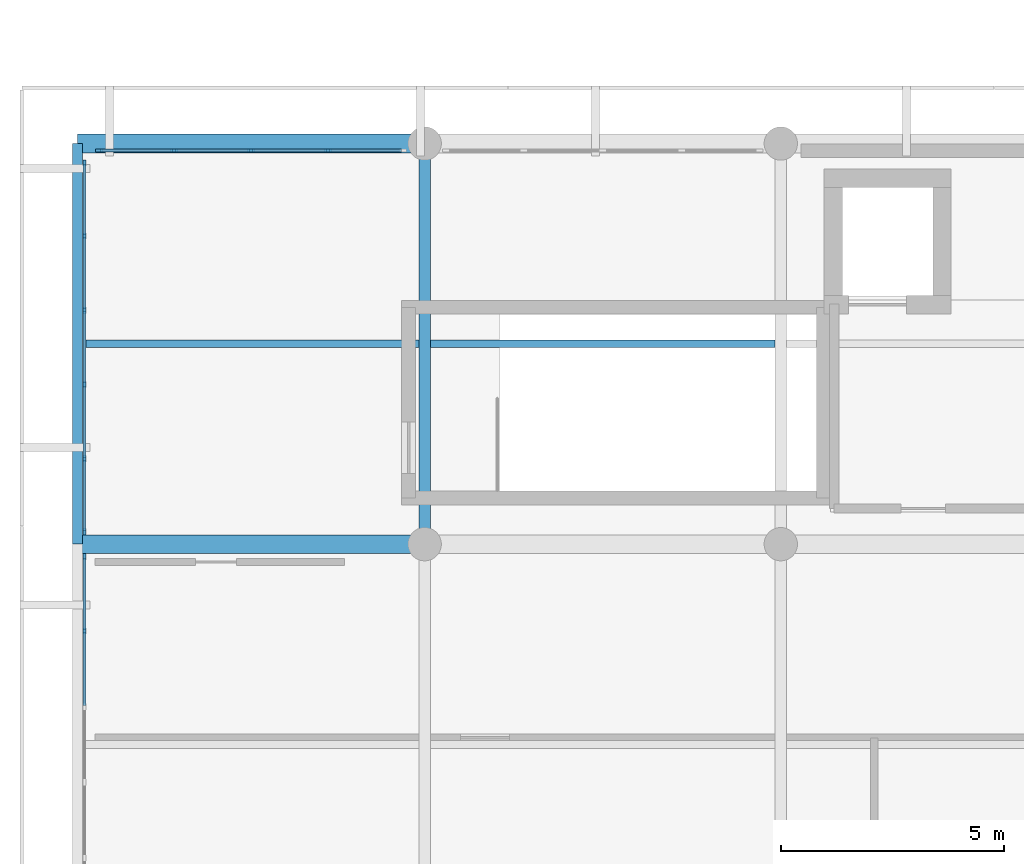
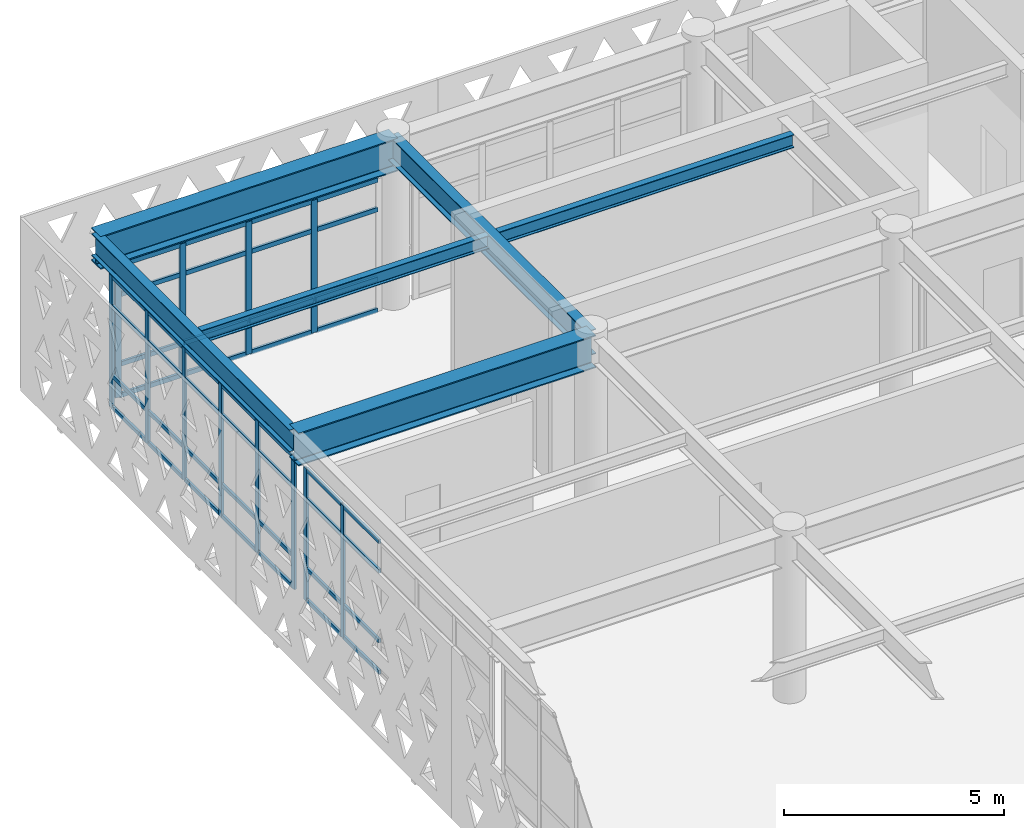
# One storey, part 5 of 26: 56 members, 6 beams, 3 elements without a shape of their own.
"""IFC4 building model written with IfcOpenShell, lengths in metres."""

from ifc_helpers import new_model, si_unit, direction, frame, origin, origin_2d, place, context, subcontext, project, spatial, rectangle, i_section, extrude, material, layer, layer_set, material_profile, profile_set, type_object, element, aggregate, save


model = new_model("IFC4")

# Units and contexts
model_context = context("Model", 3, precision=1e-05, world=origin(), true_north=direction((0.0, 1.0)))
body_context = subcontext(model_context, "Body", "Model", "MODEL_VIEW")
ifc_project = project(units=[si_unit("LENGTHUNIT", "METRE"), si_unit("AREAUNIT", "SQUARE_METRE"), si_unit("VOLUMEUNIT", "CUBIC_METRE"), si_unit("PLANEANGLEUNIT", "RADIAN"), si_unit("MASSUNIT", "GRAM", prefix="KILO")], contexts=[model_context])

# Site, building, storey
site_placement = place(None, origin())
site = spatial("IfcSite", under=ifc_project, at=site_placement, CompositionType="ELEMENT")
building_placement = place(site_placement, origin())
building = spatial("IfcBuilding", under=site, at=building_placement, Name="Tlacozan Convention Centre", CompositionType="ELEMENT")
storey_placement = place(building_placement, frame((0.0, 0.0, 21.0)))
storey = spatial("IfcBuildingStorey", under=building, at=storey_placement, Name="L04", CompositionType="ELEMENT", Elevation=21.0)

# Beams
ifc_material_1 = material(Name="Steel ASTM A992 Grade 50", Category="steel")
ifc_material_profile_1 = material_profile(ifc_material_1, i_section(OverallWidth=0.41796875, OverallDepth=0.912109375, WebThickness=0.019287109375, FlangeThickness=0.031982421875, FilletRadius=0.02001953125, at=origin_2d()), Name="IR 914x342.0")
ifc_profile_set_1 = profile_set([ifc_material_profile_1], Name="Steel ASTM A992 Grade 50")
beam_type_1 = type_object("IfcBeamType", Name="Cantilever Girder IR 914x342", PredefinedType="BEAM", material=ifc_profile_set_1)
for number, where, z_axis, x_axis, name in (
    (1, (8.0, 18.0, 4.18408203125), (-1.0, 0.0, 0.0), (0.0, -1.0, 0.0), "L04 Cantilever Girder IR 914x342 694"),
    (2, (8.0, 27.0, 4.18408203125), (-1.0, 0.0, 0.0), (0.0, -1.0, 0.0), "L04 Cantilever Girder IR 914x342 696"),
):
    element("IfcBeam", number, at=place(storey_placement, frame(where, z_axis=z_axis, x_axis=x_axis)), inside=storey, type_object=beam_type_1, Name=name, PredefinedType="BEAM", context=body_context, shape_type="SweptSolid", body=[
        extrude(i_section(OverallWidth=0.41796875, OverallDepth=0.912109375, WebThickness=0.019287109375, FlangeThickness=0.031982421875, FilletRadius=0.02001953125, at=origin_2d()), origin(), (0.0, 0.0, 1.0), 7.800048828125),
    ])

# Curtain wall, members
ifc_material_2 = material(Name="Dark Bronze Anodised Aluminium", Category="aluminium")
ifc_layer_1 = layer(ifc_material_2, 0.159912109375)
ifc_layer_set_1 = layer_set([ifc_layer_1], Name="Dark Bronze Anodised Aluminium")
curtain_wall_type_1 = type_object("IfcCurtainWallType", Name="Unitised Congress Gable End CW06", PredefinedType="NOTDEFINED", material=ifc_layer_set_1)
curtain_wall_1_placement = place(storey_placement, origin())
curtain_wall_1 = element("IfcCurtainWall", 3, at=curtain_wall_1_placement, inside=storey, type_object=curtain_wall_type_1, Name="L04 CW-06 Run 139", PredefinedType="NOTDEFINED")
ifc_material_profile_2 = material_profile(ifc_material_2, rectangle(XDim=0.06005859375, YDim=0.139892578125, at=origin_2d()), Name="ALU 60x140")
ifc_profile_set_2 = profile_set([ifc_material_profile_2], Name="Dark Bronze Anodised Aluminium")
member_type_1 = type_object("IfcMemberType", Name="Curtain Wall Light Mullion 60x140", PredefinedType="MULLION", material=ifc_profile_set_2)
member_1_placement = place(storey_placement, frame((0.360107421875, 16.050048828125, 0.0), z_axis=(0.0, 0.0, 1.0), x_axis=(-1.0, 0.0, 0.0)))
member_1 = element("IfcMember", 4, at=member_1_placement, type_object=member_type_1, Name="CW-06 mullion 5", PredefinedType="MULLION", context=body_context, shape_type="SweptSolid", body=[
    extrude(rectangle(XDim=0.06005859375, YDim=0.139892578125, at=origin_2d()), origin(), (0.0, 0.0, 1.0), 3.679931640625),
])
member_2_placement = place(storey_placement, frame((0.360107421875, 17.719970703125, 0.0), z_axis=(0.0, 0.0, 1.0), x_axis=(-1.0, 0.0, 0.0)))
member_2 = element("IfcMember", 5, at=member_2_placement, type_object=member_type_1, Name="CW-06 mullion 6", PredefinedType="MULLION", context=body_context, shape_type="SweptSolid", body=[
    extrude(rectangle(XDim=0.06005859375, YDim=0.139892578125, at=origin_2d()), origin(), (0.0, 0.0, 1.0), 3.679931640625),
])

curtain_wall_2_placement = place(storey_placement, origin())
curtain_wall_2 = element("IfcCurtainWall", 6, at=curtain_wall_2_placement, inside=storey, type_object=curtain_wall_type_1, Name="L04 CW-06 Run 140", PredefinedType="NOTDEFINED")
member_3_placement = place(storey_placement, frame((0.360107421875, 18.280029296875, 0.0), z_axis=(0.0, 0.0, 1.0), x_axis=(-1.0, 0.0, 0.0)))
member_3 = element("IfcMember", 7, at=member_3_placement, type_object=member_type_1, Name="CW-06 mullion 1", PredefinedType="MULLION", context=body_context, shape_type="SweptSolid", body=[
    extrude(rectangle(XDim=0.06005859375, YDim=0.139892578125, at=origin_2d()), origin(), (0.0, 0.0, 1.0), 3.679931640625),
])
member_4_placement = place(storey_placement, frame((0.360107421875, 19.91796875, 0.0), z_axis=(0.0, 0.0, 1.0), x_axis=(-1.0, 0.0, 0.0)))
member_4 = element("IfcMember", 8, at=member_4_placement, type_object=member_type_1, Name="CW-06 mullion 2", PredefinedType="MULLION", context=body_context, shape_type="SweptSolid", body=[
    extrude(rectangle(XDim=0.06005859375, YDim=0.139892578125, at=origin_2d()), origin(), (0.0, 0.0, 1.0), 3.679931640625),
])
member_5_placement = place(storey_placement, frame((0.360107421875, 21.5859375, 0.0), z_axis=(0.0, 0.0, 1.0), x_axis=(-1.0, 0.0, 0.0)))
member_5 = element("IfcMember", 9, at=member_5_placement, type_object=member_type_1, Name="CW-06 mullion 3", PredefinedType="MULLION", context=body_context, shape_type="SweptSolid", body=[
    extrude(rectangle(XDim=0.06005859375, YDim=0.139892578125, at=origin_2d()), origin(), (0.0, 0.0, 1.0), 3.679931640625),
])
member_6_placement = place(storey_placement, frame((0.360107421875, 23.25390625, 0.0), z_axis=(0.0, 0.0, 1.0), x_axis=(-1.0, 0.0, 0.0)))
member_6 = element("IfcMember", 10, at=member_6_placement, type_object=member_type_1, Name="CW-06 mullion 4", PredefinedType="MULLION", context=body_context, shape_type="SweptSolid", body=[
    extrude(rectangle(XDim=0.06005859375, YDim=0.139892578125, at=origin_2d()), origin(), (0.0, 0.0, 1.0), 3.679931640625),
])
member_7_placement = place(storey_placement, frame((0.360107421875, 24.922119140625, 0.0), z_axis=(0.0, 0.0, 1.0), x_axis=(-1.0, 0.0, 0.0)))
member_7 = element("IfcMember", 11, at=member_7_placement, type_object=member_type_1, Name="CW-06 mullion 5", PredefinedType="MULLION", context=body_context, shape_type="SweptSolid", body=[
    extrude(rectangle(XDim=0.06005859375, YDim=0.139892578125, at=origin_2d()), origin(), (0.0, 0.0, 1.0), 3.679931640625),
])
member_8_placement = place(storey_placement, frame((0.360107421875, 26.56005859375, 0.0), z_axis=(0.0, 0.0, 1.0), x_axis=(-1.0, 0.0, 0.0)))
member_8 = element("IfcMember", 12, at=member_8_placement, type_object=member_type_1, Name="CW-06 mullion 6", PredefinedType="MULLION", context=body_context, shape_type="SweptSolid", body=[
    extrude(rectangle(XDim=0.06005859375, YDim=0.139892578125, at=origin_2d()), origin(), (0.0, 0.0, 1.0), 3.679931640625),
])

# Member
ifc_material_profile_3 = material_profile(ifc_material_2, rectangle(XDim=0.06005859375, YDim=0.110107421875, at=origin_2d()), Name="ALU 60x110")
ifc_profile_set_3 = profile_set([ifc_material_profile_3], Name="Dark Bronze Anodised Aluminium")
member_type_2 = type_object("IfcMemberType", Name="Curtain Wall Light Transom 60x110", PredefinedType="USERDEFINED", material=ifc_profile_set_3)
member_9_placement = place(storey_placement, frame((0.360107421875, 14.3798828125, 0.030029296875), z_axis=(0.0, 1.0, 0.0), x_axis=(-1.0, 0.0, 0.0)))
member_9 = element("IfcMember", 13, at=member_9_placement, type_object=member_type_2, Name="CW-06 transom 4.1", ObjectType="TRANSOM", PredefinedType="USERDEFINED", context=body_context, shape_type="SweptSolid", body=[
    extrude(rectangle(XDim=0.06005859375, YDim=0.110107421875, at=origin_2d()), origin(), (0.0, 0.0, 1.0), 1.64013671875),
])

member_10_placement = place(storey_placement, frame((0.360107421875, 14.3798828125, 0.89990234375), z_axis=(0.0, 1.0, 0.0), x_axis=(-1.0, 0.0, 0.0)))
member_10 = element("IfcMember", 14, at=member_10_placement, type_object=member_type_2, Name="CW-06 transom 4.2", ObjectType="TRANSOM", PredefinedType="USERDEFINED", context=body_context, shape_type="SweptSolid", body=[
    extrude(rectangle(XDim=0.06005859375, YDim=0.110107421875, at=origin_2d()), origin(), (0.0, 0.0, 1.0), 1.64013671875),
])

member_11_placement = place(storey_placement, frame((0.360107421875, 14.3798828125, 2.830078125), z_axis=(0.0, 1.0, 0.0), x_axis=(-1.0, 0.0, 0.0)))
member_11 = element("IfcMember", 15, at=member_11_placement, type_object=member_type_2, Name="CW-06 transom 4.3", ObjectType="TRANSOM", PredefinedType="USERDEFINED", context=body_context, shape_type="SweptSolid", body=[
    extrude(rectangle(XDim=0.06005859375, YDim=0.110107421875, at=origin_2d()), origin(), (0.0, 0.0, 1.0), 1.64013671875),
])

member_12_placement = place(storey_placement, frame((0.360107421875, 14.3798828125, 3.64990234375), z_axis=(0.0, 1.0, 0.0), x_axis=(-1.0, 0.0, 0.0)))
member_12 = element("IfcMember", 16, at=member_12_placement, type_object=member_type_2, Name="CW-06 transom 4.4", ObjectType="TRANSOM", PredefinedType="USERDEFINED", context=body_context, shape_type="SweptSolid", body=[
    extrude(rectangle(XDim=0.06005859375, YDim=0.110107421875, at=origin_2d()), origin(), (0.0, 0.0, 1.0), 1.64013671875),
])

member_13_placement = place(storey_placement, frame((0.360107421875, 16.080078125, 0.030029296875), z_axis=(0.0, 1.0, 0.0), x_axis=(-1.0, 0.0, 0.0)))
member_13 = element("IfcMember", 17, at=member_13_placement, type_object=member_type_2, Name="CW-06 transom 5.1", ObjectType="TRANSOM", PredefinedType="USERDEFINED", context=body_context, shape_type="SweptSolid", body=[
    extrude(rectangle(XDim=0.06005859375, YDim=0.110107421875, at=origin_2d()), origin(), (0.0, 0.0, 1.0), 1.60986328125),
])

member_14_placement = place(storey_placement, frame((0.360107421875, 16.080078125, 0.89990234375), z_axis=(0.0, 1.0, 0.0), x_axis=(-1.0, 0.0, 0.0)))
member_14 = element("IfcMember", 18, at=member_14_placement, type_object=member_type_2, Name="CW-06 transom 5.2", ObjectType="TRANSOM", PredefinedType="USERDEFINED", context=body_context, shape_type="SweptSolid", body=[
    extrude(rectangle(XDim=0.06005859375, YDim=0.110107421875, at=origin_2d()), origin(), (0.0, 0.0, 1.0), 1.60986328125),
])

member_15_placement = place(storey_placement, frame((0.360107421875, 16.080078125, 2.830078125), z_axis=(0.0, 1.0, 0.0), x_axis=(-1.0, 0.0, 0.0)))
member_15 = element("IfcMember", 19, at=member_15_placement, type_object=member_type_2, Name="CW-06 transom 5.3", ObjectType="TRANSOM", PredefinedType="USERDEFINED", context=body_context, shape_type="SweptSolid", body=[
    extrude(rectangle(XDim=0.06005859375, YDim=0.110107421875, at=origin_2d()), origin(), (0.0, 0.0, 1.0), 1.60986328125),
])

member_16_placement = place(storey_placement, frame((0.360107421875, 16.080078125, 3.64990234375), z_axis=(0.0, 1.0, 0.0), x_axis=(-1.0, 0.0, 0.0)))
member_16 = element("IfcMember", 20, at=member_16_placement, type_object=member_type_2, Name="CW-06 transom 5.4", ObjectType="TRANSOM", PredefinedType="USERDEFINED", context=body_context, shape_type="SweptSolid", body=[
    extrude(rectangle(XDim=0.06005859375, YDim=0.110107421875, at=origin_2d()), origin(), (0.0, 0.0, 1.0), 1.60986328125),
])

aggregate(curtain_wall_1, [member_1, member_2, member_9, member_10, member_11, member_12, member_13, member_14, member_15, member_16])

member_17_placement = place(storey_placement, frame((0.360107421875, 18.31005859375, 0.030029296875), z_axis=(0.0, 1.0, 0.0), x_axis=(-1.0, 0.0, 0.0)))
member_17 = element("IfcMember", 21, at=member_17_placement, type_object=member_type_2, Name="CW-06 transom 1.1", ObjectType="TRANSOM", PredefinedType="USERDEFINED", context=body_context, shape_type="SweptSolid", body=[
    extrude(rectangle(XDim=0.06005859375, YDim=0.110107421875, at=origin_2d()), origin(), (0.0, 0.0, 1.0), 1.577880859375),
])

member_18_placement = place(storey_placement, frame((0.360107421875, 18.31005859375, 0.89990234375), z_axis=(0.0, 1.0, 0.0), x_axis=(-1.0, 0.0, 0.0)))
member_18 = element("IfcMember", 22, at=member_18_placement, type_object=member_type_2, Name="CW-06 transom 1.2", ObjectType="TRANSOM", PredefinedType="USERDEFINED", context=body_context, shape_type="SweptSolid", body=[
    extrude(rectangle(XDim=0.06005859375, YDim=0.110107421875, at=origin_2d()), origin(), (0.0, 0.0, 1.0), 1.577880859375),
])

member_19_placement = place(storey_placement, frame((0.360107421875, 18.31005859375, 2.830078125), z_axis=(0.0, 1.0, 0.0), x_axis=(-1.0, 0.0, 0.0)))
member_19 = element("IfcMember", 23, at=member_19_placement, type_object=member_type_2, Name="CW-06 transom 1.3", ObjectType="TRANSOM", PredefinedType="USERDEFINED", context=body_context, shape_type="SweptSolid", body=[
    extrude(rectangle(XDim=0.06005859375, YDim=0.110107421875, at=origin_2d()), origin(), (0.0, 0.0, 1.0), 1.577880859375),
])

member_20_placement = place(storey_placement, frame((0.360107421875, 18.31005859375, 3.64990234375), z_axis=(0.0, 1.0, 0.0), x_axis=(-1.0, 0.0, 0.0)))
member_20 = element("IfcMember", 24, at=member_20_placement, type_object=member_type_2, Name="CW-06 transom 1.4", ObjectType="TRANSOM", PredefinedType="USERDEFINED", context=body_context, shape_type="SweptSolid", body=[
    extrude(rectangle(XDim=0.06005859375, YDim=0.110107421875, at=origin_2d()), origin(), (0.0, 0.0, 1.0), 1.577880859375),
])

member_21_placement = place(storey_placement, frame((0.360107421875, 19.947998046875, 0.030029296875), z_axis=(0.0, 1.0, 0.0), x_axis=(-1.0, 0.0, 0.0)))
member_21 = element("IfcMember", 25, at=member_21_placement, type_object=member_type_2, Name="CW-06 transom 2.1", ObjectType="TRANSOM", PredefinedType="USERDEFINED", context=body_context, shape_type="SweptSolid", body=[
    extrude(rectangle(XDim=0.06005859375, YDim=0.110107421875, at=origin_2d()), origin(), (0.0, 0.0, 1.0), 1.60791015625),
])

member_22_placement = place(storey_placement, frame((0.360107421875, 19.947998046875, 0.89990234375), z_axis=(0.0, 1.0, 0.0), x_axis=(-1.0, 0.0, 0.0)))
member_22 = element("IfcMember", 26, at=member_22_placement, type_object=member_type_2, Name="CW-06 transom 2.2", ObjectType="TRANSOM", PredefinedType="USERDEFINED", context=body_context, shape_type="SweptSolid", body=[
    extrude(rectangle(XDim=0.06005859375, YDim=0.110107421875, at=origin_2d()), origin(), (0.0, 0.0, 1.0), 1.60791015625),
])

member_23_placement = place(storey_placement, frame((0.360107421875, 19.947998046875, 2.830078125), z_axis=(0.0, 1.0, 0.0), x_axis=(-1.0, 0.0, 0.0)))
member_23 = element("IfcMember", 27, at=member_23_placement, type_object=member_type_2, Name="CW-06 transom 2.3", ObjectType="TRANSOM", PredefinedType="USERDEFINED", context=body_context, shape_type="SweptSolid", body=[
    extrude(rectangle(XDim=0.06005859375, YDim=0.110107421875, at=origin_2d()), origin(), (0.0, 0.0, 1.0), 1.60791015625),
])

member_24_placement = place(storey_placement, frame((0.360107421875, 19.947998046875, 3.64990234375), z_axis=(0.0, 1.0, 0.0), x_axis=(-1.0, 0.0, 0.0)))
member_24 = element("IfcMember", 28, at=member_24_placement, type_object=member_type_2, Name="CW-06 transom 2.4", ObjectType="TRANSOM", PredefinedType="USERDEFINED", context=body_context, shape_type="SweptSolid", body=[
    extrude(rectangle(XDim=0.06005859375, YDim=0.110107421875, at=origin_2d()), origin(), (0.0, 0.0, 1.0), 1.60791015625),
])

member_25_placement = place(storey_placement, frame((0.360107421875, 21.615966796875, 0.030029296875), z_axis=(0.0, 1.0, 0.0), x_axis=(-1.0, 0.0, 0.0)))
member_25 = element("IfcMember", 29, at=member_25_placement, type_object=member_type_2, Name="CW-06 transom 3.1", ObjectType="TRANSOM", PredefinedType="USERDEFINED", context=body_context, shape_type="SweptSolid", body=[
    extrude(rectangle(XDim=0.06005859375, YDim=0.110107421875, at=origin_2d()), origin(), (0.0, 0.0, 1.0), 1.608154296875),
])

member_26_placement = place(storey_placement, frame((0.360107421875, 21.615966796875, 0.89990234375), z_axis=(0.0, 1.0, 0.0), x_axis=(-1.0, 0.0, 0.0)))
member_26 = element("IfcMember", 30, at=member_26_placement, type_object=member_type_2, Name="CW-06 transom 3.2", ObjectType="TRANSOM", PredefinedType="USERDEFINED", context=body_context, shape_type="SweptSolid", body=[
    extrude(rectangle(XDim=0.06005859375, YDim=0.110107421875, at=origin_2d()), origin(), (0.0, 0.0, 1.0), 1.608154296875),
])

member_27_placement = place(storey_placement, frame((0.360107421875, 21.615966796875, 2.830078125), z_axis=(0.0, 1.0, 0.0), x_axis=(-1.0, 0.0, 0.0)))
member_27 = element("IfcMember", 31, at=member_27_placement, type_object=member_type_2, Name="CW-06 transom 3.3", ObjectType="TRANSOM", PredefinedType="USERDEFINED", context=body_context, shape_type="SweptSolid", body=[
    extrude(rectangle(XDim=0.06005859375, YDim=0.110107421875, at=origin_2d()), origin(), (0.0, 0.0, 1.0), 1.608154296875),
])

member_28_placement = place(storey_placement, frame((0.360107421875, 21.615966796875, 3.64990234375), z_axis=(0.0, 1.0, 0.0), x_axis=(-1.0, 0.0, 0.0)))
member_28 = element("IfcMember", 32, at=member_28_placement, type_object=member_type_2, Name="CW-06 transom 3.4", ObjectType="TRANSOM", PredefinedType="USERDEFINED", context=body_context, shape_type="SweptSolid", body=[
    extrude(rectangle(XDim=0.06005859375, YDim=0.110107421875, at=origin_2d()), origin(), (0.0, 0.0, 1.0), 1.608154296875),
])

member_29_placement = place(storey_placement, frame((0.360107421875, 23.283935546875, 0.030029296875), z_axis=(0.0, 1.0, 0.0), x_axis=(-1.0, 0.0, 0.0)))
member_29 = element("IfcMember", 33, at=member_29_placement, type_object=member_type_2, Name="CW-06 transom 4.1", ObjectType="TRANSOM", PredefinedType="USERDEFINED", context=body_context, shape_type="SweptSolid", body=[
    extrude(rectangle(XDim=0.06005859375, YDim=0.110107421875, at=origin_2d()), origin(), (0.0, 0.0, 1.0), 1.608154296875),
])

member_30_placement = place(storey_placement, frame((0.360107421875, 23.283935546875, 0.89990234375), z_axis=(0.0, 1.0, 0.0), x_axis=(-1.0, 0.0, 0.0)))
member_30 = element("IfcMember", 34, at=member_30_placement, type_object=member_type_2, Name="CW-06 transom 4.2", ObjectType="TRANSOM", PredefinedType="USERDEFINED", context=body_context, shape_type="SweptSolid", body=[
    extrude(rectangle(XDim=0.06005859375, YDim=0.110107421875, at=origin_2d()), origin(), (0.0, 0.0, 1.0), 1.608154296875),
])

member_31_placement = place(storey_placement, frame((0.360107421875, 23.283935546875, 2.830078125), z_axis=(0.0, 1.0, 0.0), x_axis=(-1.0, 0.0, 0.0)))
member_31 = element("IfcMember", 35, at=member_31_placement, type_object=member_type_2, Name="CW-06 transom 4.3", ObjectType="TRANSOM", PredefinedType="USERDEFINED", context=body_context, shape_type="SweptSolid", body=[
    extrude(rectangle(XDim=0.06005859375, YDim=0.110107421875, at=origin_2d()), origin(), (0.0, 0.0, 1.0), 1.608154296875),
])

member_32_placement = place(storey_placement, frame((0.360107421875, 23.283935546875, 3.64990234375), z_axis=(0.0, 1.0, 0.0), x_axis=(-1.0, 0.0, 0.0)))
member_32 = element("IfcMember", 36, at=member_32_placement, type_object=member_type_2, Name="CW-06 transom 4.4", ObjectType="TRANSOM", PredefinedType="USERDEFINED", context=body_context, shape_type="SweptSolid", body=[
    extrude(rectangle(XDim=0.06005859375, YDim=0.110107421875, at=origin_2d()), origin(), (0.0, 0.0, 1.0), 1.608154296875),
])

member_33_placement = place(storey_placement, frame((0.360107421875, 24.951904296875, 0.030029296875), z_axis=(0.0, 1.0, 0.0), x_axis=(-1.0, 0.0, 0.0)))
member_33 = element("IfcMember", 37, at=member_33_placement, type_object=member_type_2, Name="CW-06 transom 5.1", ObjectType="TRANSOM", PredefinedType="USERDEFINED", context=body_context, shape_type="SweptSolid", body=[
    extrude(rectangle(XDim=0.06005859375, YDim=0.110107421875, at=origin_2d()), origin(), (0.0, 0.0, 1.0), 1.578125),
])

member_34_placement = place(storey_placement, frame((0.360107421875, 24.951904296875, 0.89990234375), z_axis=(0.0, 1.0, 0.0), x_axis=(-1.0, 0.0, 0.0)))
member_34 = element("IfcMember", 38, at=member_34_placement, type_object=member_type_2, Name="CW-06 transom 5.2", ObjectType="TRANSOM", PredefinedType="USERDEFINED", context=body_context, shape_type="SweptSolid", body=[
    extrude(rectangle(XDim=0.06005859375, YDim=0.110107421875, at=origin_2d()), origin(), (0.0, 0.0, 1.0), 1.578125),
])

member_35_placement = place(storey_placement, frame((0.360107421875, 24.951904296875, 2.830078125), z_axis=(0.0, 1.0, 0.0), x_axis=(-1.0, 0.0, 0.0)))
member_35 = element("IfcMember", 39, at=member_35_placement, type_object=member_type_2, Name="CW-06 transom 5.3", ObjectType="TRANSOM", PredefinedType="USERDEFINED", context=body_context, shape_type="SweptSolid", body=[
    extrude(rectangle(XDim=0.06005859375, YDim=0.110107421875, at=origin_2d()), origin(), (0.0, 0.0, 1.0), 1.578125),
])

member_36_placement = place(storey_placement, frame((0.360107421875, 24.951904296875, 3.64990234375), z_axis=(0.0, 1.0, 0.0), x_axis=(-1.0, 0.0, 0.0)))
member_36 = element("IfcMember", 40, at=member_36_placement, type_object=member_type_2, Name="CW-06 transom 5.4", ObjectType="TRANSOM", PredefinedType="USERDEFINED", context=body_context, shape_type="SweptSolid", body=[
    extrude(rectangle(XDim=0.06005859375, YDim=0.110107421875, at=origin_2d()), origin(), (0.0, 0.0, 1.0), 1.578125),
])

aggregate(curtain_wall_2, [member_3, member_4, member_5, member_6, member_7, member_8, member_17, member_18, member_19, member_20, member_21, member_22, member_23, member_24, member_25, member_26, member_27, member_28, member_29, member_30, member_31, member_32, member_33, member_34, member_35, member_36])

# Curtain wall, members
ifc_layer_2 = layer(ifc_material_2, 0.159912109375)
ifc_layer_set_2 = layer_set([ifc_layer_2], Name="Dark Bronze Anodised Aluminium")
curtain_wall_type_2 = type_object("IfcCurtainWallType", Name="Unitised Congress L04 South CW05", PredefinedType="NOTDEFINED", material=ifc_layer_set_2)
curtain_wall_3_placement = place(storey_placement, origin())
curtain_wall_3 = element("IfcCurtainWall", 41, at=curtain_wall_3_placement, inside=storey, type_object=curtain_wall_type_2, Name="L04 CW-05 Run 134", PredefinedType="NOTDEFINED")
ifc_material_profile_4 = material_profile(ifc_material_2, rectangle(XDim=0.06494140625, YDim=0.159912109375, at=origin_2d()), Name="ALU 65x160")
ifc_profile_set_4 = profile_set([ifc_material_profile_4], Name="Dark Bronze Anodised Aluminium")
member_type_3 = type_object("IfcMemberType", Name="Curtain Wall Mullion 65x160", PredefinedType="MULLION", material=ifc_profile_set_4)
member_37_placement = place(storey_placement, frame((0.6826171875, 26.840087890625, 0.0), z_axis=(0.0, 0.0, 1.0), x_axis=(0.0, 1.0, 0.0)))
member_37 = element("IfcMember", 42, at=member_37_placement, type_object=member_type_3, Name="CW-05 mullion 1", PredefinedType="MULLION", context=body_context, shape_type="SweptSolid", body=[
    extrude(rectangle(XDim=0.06494140625, YDim=0.159912109375, at=origin_2d()), origin(), (0.0, 0.0, 1.0), 3.679931640625),
])
member_38_placement = place(storey_placement, frame((2.375, 26.840087890625, 0.0), z_axis=(0.0, 0.0, 1.0), x_axis=(0.0, 1.0, 0.0)))
member_38 = element("IfcMember", 43, at=member_38_placement, type_object=member_type_3, Name="CW-05 mullion 2", PredefinedType="MULLION", context=body_context, shape_type="SweptSolid", body=[
    extrude(rectangle(XDim=0.06494140625, YDim=0.159912109375, at=origin_2d()), origin(), (0.0, 0.0, 1.0), 3.679931640625),
])
member_39_placement = place(storey_placement, frame((4.10009765625, 26.840087890625, 0.0), z_axis=(0.0, 0.0, 1.0), x_axis=(0.0, 1.0, 0.0)))
member_39 = element("IfcMember", 44, at=member_39_placement, type_object=member_type_3, Name="CW-05 mullion 3", PredefinedType="MULLION", context=body_context, shape_type="SweptSolid", body=[
    extrude(rectangle(XDim=0.06494140625, YDim=0.159912109375, at=origin_2d()), origin(), (0.0, 0.0, 1.0), 3.679931640625),
])
member_40_placement = place(storey_placement, frame((5.824951171875, 26.840087890625, 0.0), z_axis=(0.0, 0.0, 1.0), x_axis=(0.0, 1.0, 0.0)))
member_40 = element("IfcMember", 45, at=member_40_placement, type_object=member_type_3, Name="CW-05 mullion 4", PredefinedType="MULLION", context=body_context, shape_type="SweptSolid", body=[
    extrude(rectangle(XDim=0.06494140625, YDim=0.159912109375, at=origin_2d()), origin(), (0.0, 0.0, 1.0), 3.679931640625),
])
ifc_material_profile_5 = material_profile(ifc_material_2, rectangle(XDim=0.06494140625, YDim=0.125, at=origin_2d()), Name="ALU 65x125")
ifc_profile_set_5 = profile_set([ifc_material_profile_5], Name="Dark Bronze Anodised Aluminium")
member_type_4 = type_object("IfcMemberType", Name="Curtain Wall Transom 65x125", PredefinedType="USERDEFINED", material=ifc_profile_set_5)
member_41_placement = place(storey_placement, frame((0.715087890625, 26.840087890625, 0.032470703125), z_axis=(1.0, 0.0, 0.0), x_axis=(0.0, 1.0, 0.0)))
member_41 = element("IfcMember", 46, at=member_41_placement, type_object=member_type_4, Name="CW-05 transom 1.1", ObjectType="TRANSOM", PredefinedType="USERDEFINED", context=body_context, shape_type="SweptSolid", body=[
    extrude(rectangle(XDim=0.06494140625, YDim=0.125, at=origin_2d()), origin(), (0.0, 0.0, 1.0), 1.62744140625),
])
member_42_placement = place(storey_placement, frame((0.715087890625, 26.840087890625, 0.89990234375), z_axis=(1.0, 0.0, 0.0), x_axis=(0.0, 1.0, 0.0)))
member_42 = element("IfcMember", 47, at=member_42_placement, type_object=member_type_4, Name="CW-05 transom 1.2", ObjectType="TRANSOM", PredefinedType="USERDEFINED", context=body_context, shape_type="SweptSolid", body=[
    extrude(rectangle(XDim=0.06494140625, YDim=0.125, at=origin_2d()), origin(), (0.0, 0.0, 1.0), 1.62744140625),
])
member_43_placement = place(storey_placement, frame((0.715087890625, 26.840087890625, 2.830078125), z_axis=(1.0, 0.0, 0.0), x_axis=(0.0, 1.0, 0.0)))
member_43 = element("IfcMember", 48, at=member_43_placement, type_object=member_type_4, Name="CW-05 transom 1.3", ObjectType="TRANSOM", PredefinedType="USERDEFINED", context=body_context, shape_type="SweptSolid", body=[
    extrude(rectangle(XDim=0.06494140625, YDim=0.125, at=origin_2d()), origin(), (0.0, 0.0, 1.0), 1.62744140625),
])
member_44_placement = place(storey_placement, frame((0.715087890625, 26.840087890625, 3.6474609375), z_axis=(1.0, 0.0, 0.0), x_axis=(0.0, 1.0, 0.0)))
member_44 = element("IfcMember", 49, at=member_44_placement, type_object=member_type_4, Name="CW-05 transom 1.4", ObjectType="TRANSOM", PredefinedType="USERDEFINED", context=body_context, shape_type="SweptSolid", body=[
    extrude(rectangle(XDim=0.06494140625, YDim=0.125, at=origin_2d()), origin(), (0.0, 0.0, 1.0), 1.62744140625),
])
member_45_placement = place(storey_placement, frame((2.407470703125, 26.840087890625, 0.032470703125), z_axis=(1.0, 0.0, 0.0), x_axis=(0.0, 1.0, 0.0)))
member_45 = element("IfcMember", 50, at=member_45_placement, type_object=member_type_4, Name="CW-05 transom 2.1", ObjectType="TRANSOM", PredefinedType="USERDEFINED", context=body_context, shape_type="SweptSolid", body=[
    extrude(rectangle(XDim=0.06494140625, YDim=0.125, at=origin_2d()), origin(), (0.0, 0.0, 1.0), 1.659912109375),
])
member_46_placement = place(storey_placement, frame((2.407470703125, 26.840087890625, 0.89990234375), z_axis=(1.0, 0.0, 0.0), x_axis=(0.0, 1.0, 0.0)))
member_46 = element("IfcMember", 51, at=member_46_placement, type_object=member_type_4, Name="CW-05 transom 2.2", ObjectType="TRANSOM", PredefinedType="USERDEFINED", context=body_context, shape_type="SweptSolid", body=[
    extrude(rectangle(XDim=0.06494140625, YDim=0.125, at=origin_2d()), origin(), (0.0, 0.0, 1.0), 1.659912109375),
])
member_47_placement = place(storey_placement, frame((2.407470703125, 26.840087890625, 2.830078125), z_axis=(1.0, 0.0, 0.0), x_axis=(0.0, 1.0, 0.0)))
member_47 = element("IfcMember", 52, at=member_47_placement, type_object=member_type_4, Name="CW-05 transom 2.3", ObjectType="TRANSOM", PredefinedType="USERDEFINED", context=body_context, shape_type="SweptSolid", body=[
    extrude(rectangle(XDim=0.06494140625, YDim=0.125, at=origin_2d()), origin(), (0.0, 0.0, 1.0), 1.659912109375),
])
member_48_placement = place(storey_placement, frame((2.407470703125, 26.840087890625, 3.6474609375), z_axis=(1.0, 0.0, 0.0), x_axis=(0.0, 1.0, 0.0)))
member_48 = element("IfcMember", 53, at=member_48_placement, type_object=member_type_4, Name="CW-05 transom 2.4", ObjectType="TRANSOM", PredefinedType="USERDEFINED", context=body_context, shape_type="SweptSolid", body=[
    extrude(rectangle(XDim=0.06494140625, YDim=0.125, at=origin_2d()), origin(), (0.0, 0.0, 1.0), 1.659912109375),
])
member_49_placement = place(storey_placement, frame((4.132568359375, 26.840087890625, 0.032470703125), z_axis=(1.0, 0.0, 0.0), x_axis=(0.0, 1.0, 0.0)))
member_49 = element("IfcMember", 54, at=member_49_placement, type_object=member_type_4, Name="CW-05 transom 3.1", ObjectType="TRANSOM", PredefinedType="USERDEFINED", context=body_context, shape_type="SweptSolid", body=[
    extrude(rectangle(XDim=0.06494140625, YDim=0.125, at=origin_2d()), origin(), (0.0, 0.0, 1.0), 1.659912109375),
])
member_50_placement = place(storey_placement, frame((4.132568359375, 26.840087890625, 0.89990234375), z_axis=(1.0, 0.0, 0.0), x_axis=(0.0, 1.0, 0.0)))
member_50 = element("IfcMember", 55, at=member_50_placement, type_object=member_type_4, Name="CW-05 transom 3.2", ObjectType="TRANSOM", PredefinedType="USERDEFINED", context=body_context, shape_type="SweptSolid", body=[
    extrude(rectangle(XDim=0.06494140625, YDim=0.125, at=origin_2d()), origin(), (0.0, 0.0, 1.0), 1.659912109375),
])
member_51_placement = place(storey_placement, frame((4.132568359375, 26.840087890625, 2.830078125), z_axis=(1.0, 0.0, 0.0), x_axis=(0.0, 1.0, 0.0)))
member_51 = element("IfcMember", 56, at=member_51_placement, type_object=member_type_4, Name="CW-05 transom 3.3", ObjectType="TRANSOM", PredefinedType="USERDEFINED", context=body_context, shape_type="SweptSolid", body=[
    extrude(rectangle(XDim=0.06494140625, YDim=0.125, at=origin_2d()), origin(), (0.0, 0.0, 1.0), 1.659912109375),
])
member_52_placement = place(storey_placement, frame((4.132568359375, 26.840087890625, 3.6474609375), z_axis=(1.0, 0.0, 0.0), x_axis=(0.0, 1.0, 0.0)))
member_52 = element("IfcMember", 57, at=member_52_placement, type_object=member_type_4, Name="CW-05 transom 3.4", ObjectType="TRANSOM", PredefinedType="USERDEFINED", context=body_context, shape_type="SweptSolid", body=[
    extrude(rectangle(XDim=0.06494140625, YDim=0.125, at=origin_2d()), origin(), (0.0, 0.0, 1.0), 1.659912109375),
])
member_53_placement = place(storey_placement, frame((5.857421875, 26.840087890625, 0.032470703125), z_axis=(1.0, 0.0, 0.0), x_axis=(0.0, 1.0, 0.0)))
member_53 = element("IfcMember", 58, at=member_53_placement, type_object=member_type_4, Name="CW-05 transom 4.1", ObjectType="TRANSOM", PredefinedType="USERDEFINED", context=body_context, shape_type="SweptSolid", body=[
    extrude(rectangle(XDim=0.06494140625, YDim=0.125, at=origin_2d()), origin(), (0.0, 0.0, 1.0), 1.627685546875),
])
member_54_placement = place(storey_placement, frame((5.857421875, 26.840087890625, 0.89990234375), z_axis=(1.0, 0.0, 0.0), x_axis=(0.0, 1.0, 0.0)))
member_54 = element("IfcMember", 59, at=member_54_placement, type_object=member_type_4, Name="CW-05 transom 4.2", ObjectType="TRANSOM", PredefinedType="USERDEFINED", context=body_context, shape_type="SweptSolid", body=[
    extrude(rectangle(XDim=0.06494140625, YDim=0.125, at=origin_2d()), origin(), (0.0, 0.0, 1.0), 1.627685546875),
])
member_55_placement = place(storey_placement, frame((5.857421875, 26.840087890625, 2.830078125), z_axis=(1.0, 0.0, 0.0), x_axis=(0.0, 1.0, 0.0)))
member_55 = element("IfcMember", 60, at=member_55_placement, type_object=member_type_4, Name="CW-05 transom 4.3", ObjectType="TRANSOM", PredefinedType="USERDEFINED", context=body_context, shape_type="SweptSolid", body=[
    extrude(rectangle(XDim=0.06494140625, YDim=0.125, at=origin_2d()), origin(), (0.0, 0.0, 1.0), 1.627685546875),
])
member_56_placement = place(storey_placement, frame((5.857421875, 26.840087890625, 3.6474609375), z_axis=(1.0, 0.0, 0.0), x_axis=(0.0, 1.0, 0.0)))
member_56 = element("IfcMember", 61, at=member_56_placement, type_object=member_type_4, Name="CW-05 transom 4.4", ObjectType="TRANSOM", PredefinedType="USERDEFINED", context=body_context, shape_type="SweptSolid", body=[
    extrude(rectangle(XDim=0.06494140625, YDim=0.125, at=origin_2d()), origin(), (0.0, 0.0, 1.0), 1.627685546875),
])
aggregate(curtain_wall_3, [member_37, member_38, member_39, member_40, member_41, member_42, member_43, member_44, member_45, member_46, member_47, member_48, member_49, member_50, member_51, member_52, member_53, member_54, member_55, member_56])

# Beams
ifc_material_profile_6 = material_profile(ifc_material_1, i_section(OverallWidth=0.256103515625, OverallDepth=0.693115234375, WebThickness=0.014404296875, FlangeThickness=0.023681640625, FilletRadius=0.014892578125, at=origin_2d()), Name="IR 686x170.0")
ifc_profile_set_6 = profile_set([ifc_material_profile_6], Name="Steel ASTM A992 Grade 50")
beam_type_2 = type_object("IfcBeamType", Name="Girder Steel IR 686x170", PredefinedType="BEAM", material=ifc_profile_set_6)
beam_1_placement = place(storey_placement, frame((8.0, 18.0, 4.29345703125), z_axis=(0.0, 1.0, 0.0), x_axis=(-1.0, 0.0, 0.0)))
element("IfcBeam", 62, at=beam_1_placement, inside=storey, type_object=beam_type_2, Name="L04 Girder Steel IR 686x170 652", PredefinedType="BEAM", context=body_context, shape_type="SweptSolid", body=[
    extrude(i_section(OverallWidth=0.256103515625, OverallDepth=0.693115234375, WebThickness=0.014404296875, FlangeThickness=0.023681640625, FilletRadius=0.014892578125, at=origin_2d()), origin(), (0.0, 0.0, 1.0), 9.0),
])
ifc_material_profile_7 = material_profile(ifc_material_1, i_section(OverallWidth=0.22900390625, OverallDepth=0.612060546875, WebThickness=0.011962890625, FlangeThickness=0.01953125, FilletRadius=0.012939453125, at=origin_2d()), Name="IR 610x125.0")
ifc_profile_set_7 = profile_set([ifc_material_profile_7], Name="Steel ASTM A992 Grade 50")
beam_type_3 = type_object("IfcBeamType", Name="Perimeter Spandrel IR 610x125", PredefinedType="SPANDREL", material=ifc_profile_set_7)
beam_2_placement = place(storey_placement, frame((0.199951171875, 18.0, 4.333984375), z_axis=(0.0, 1.0, 0.0), x_axis=(-1.0, 0.0, 0.0)))
element("IfcBeam", 63, at=beam_2_placement, inside=storey, type_object=beam_type_3, Name="L04 Perimeter Spandrel IR 610x125 688", PredefinedType="SPANDREL", context=body_context, shape_type="SweptSolid", body=[
    extrude(i_section(OverallWidth=0.22900390625, OverallDepth=0.612060546875, WebThickness=0.011962890625, FlangeThickness=0.01953125, FilletRadius=0.012939453125, at=origin_2d()), origin(), (0.0, 0.0, 1.0), 9.0),
])
ifc_material_profile_8 = material_profile(ifc_material_1, i_section(OverallWidth=0.173095703125, OverallDepth=0.364013671875, WebThickness=0.009033203125, FlangeThickness=0.015625, FilletRadius=0.010009765625, at=origin_2d()), Name="IR 356x67.1")
ifc_profile_set_8 = profile_set([ifc_material_profile_8], Name="Steel ASTM A992 Grade 50")
beam_type_4 = type_object("IfcBeamType", Name="Secondary Joist IR 356x67.1", PredefinedType="JOIST", material=ifc_profile_set_8)
beam_3_placement = place(storey_placement, frame((0.325927734375, 22.5, 4.4580078125), z_axis=(1.0, 0.0, 0.0), x_axis=(0.0, 1.0, 0.0)))
element("IfcBeam", 64, at=beam_3_placement, inside=storey, type_object=beam_type_4, Name="L04 Secondary Joist IR 356x67.1 735", PredefinedType="JOIST", context=body_context, shape_type="SweptSolid", body=[
    extrude(i_section(OverallWidth=0.173095703125, OverallDepth=0.364013671875, WebThickness=0.009033203125, FlangeThickness=0.015625, FilletRadius=0.010009765625, at=origin_2d()), origin(), (0.0, 0.0, 1.0), 7.548095703125),
])
beam_4_placement = place(storey_placement, frame((8.1259765625, 22.5, 4.4580078125), z_axis=(1.0, 0.0, 0.0), x_axis=(0.0, 1.0, 0.0)))
element("IfcBeam", 65, at=beam_4_placement, inside=storey, type_object=beam_type_4, Name="L04 Secondary Joist IR 356x67.1 738", PredefinedType="JOIST", context=body_context, shape_type="SweptSolid", body=[
    extrude(i_section(OverallWidth=0.173095703125, OverallDepth=0.364013671875, WebThickness=0.009033203125, FlangeThickness=0.015625, FilletRadius=0.010009765625, at=origin_2d()), origin(), (0.0, 0.0, 1.0), 7.748046875),
])

save(model, "model.ifc")
